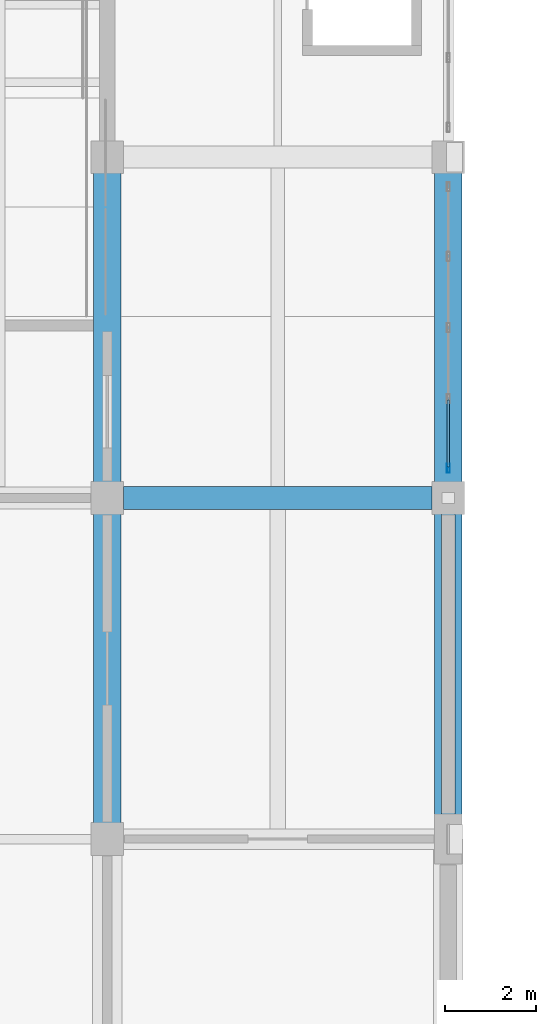
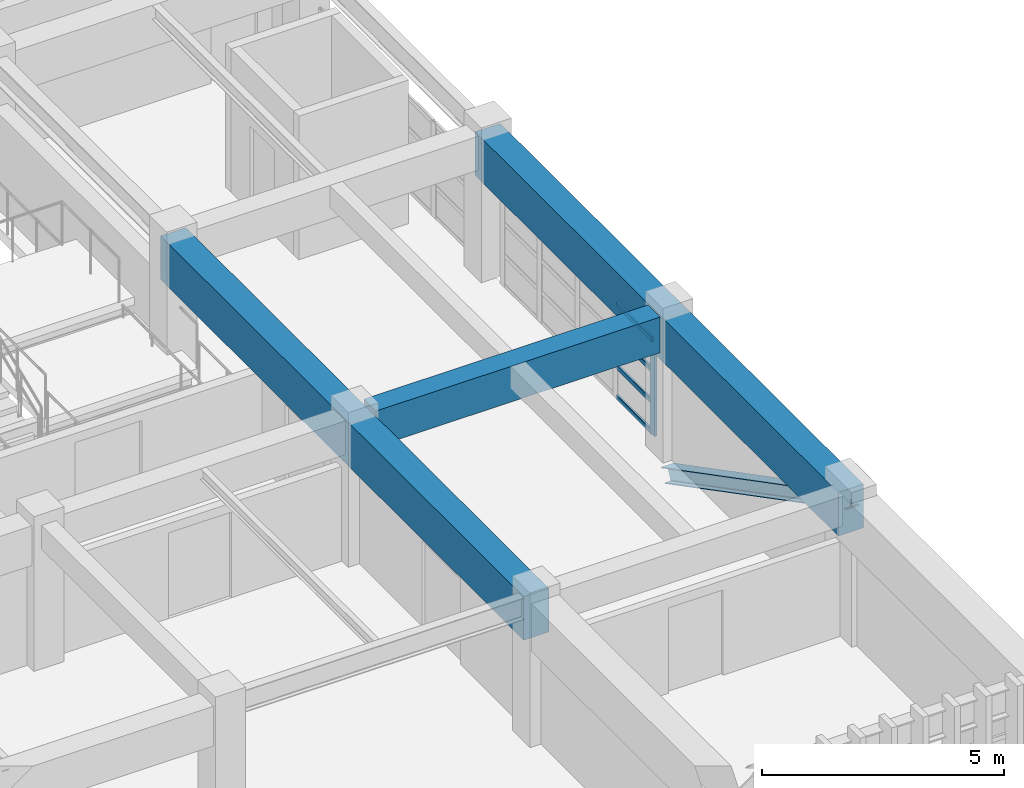
# One storey, part 46 of 101: 6 members, 3 beams, 1 element without a shape of its own.
"""IFC4 building model written with IfcOpenShell, lengths in metres."""

from ifc_helpers import new_model, si_unit, direction, frame, origin, origin_2d, place, context, subcontext, project, spatial, rectangle, hollow_rectangle, i_section, extrude, material, material_profile, profile_set, type_object, element, aggregate, save


model = new_model("IFC4")

# Units and contexts
model_context = context("Model", 3, precision=1e-05, world=origin(), true_north=direction((0.0, 1.0)))
body_context = subcontext(model_context, "Body", "Model", "MODEL_VIEW")
ifc_project = project(units=[si_unit("LENGTHUNIT", "METRE"), si_unit("AREAUNIT", "SQUARE_METRE"), si_unit("VOLUMEUNIT", "CUBIC_METRE"), si_unit("PLANEANGLEUNIT", "RADIAN"), si_unit("MASSUNIT", "GRAM", prefix="KILO")], contexts=[model_context])

# Site, building, storey
site_placement = place(None, origin())
site = spatial("IfcSite", under=ifc_project, at=site_placement, CompositionType="ELEMENT")
building_placement = place(site_placement, origin())
building = spatial("IfcBuilding", under=site, at=building_placement, Name="Qasida Concert Hall", CompositionType="ELEMENT")
storey_placement = place(building_placement, frame((0.0, 0.0, 13.199951171875)))
storey = spatial("IfcBuildingStorey", under=building, at=storey_placement, Name="L03", CompositionType="ELEMENT", Elevation=13.199951171875)

# Beams
ifc_material_1 = material(Name="Concrete C40/50", Category="concrete")
ifc_material_profile_1 = material_profile(ifc_material_1, rectangle(XDim=0.5, YDim=0.89990234375, at=origin_2d()), Name="RC 500x900")
ifc_profile_set_1 = profile_set([ifc_material_profile_1], Name="Concrete C40/50")
beam_type_1 = type_object("IfcBeamType", Name="BM-G1", PredefinedType="USERDEFINED", material=ifc_profile_set_1)
beam_placement = place(storey_placement, frame((97.860107421875, 30.0, 3.170166015625), z_axis=(1.0, 0.0, 0.0), x_axis=(0.0, 1.0, 0.0)))
element("IfcBeam", 1, at=beam_placement, inside=storey, type_object=beam_type_1, Name="Primary girder 1519", ObjectType="GIRDER", PredefinedType="USERDEFINED", context=body_context, shape_type="SweptSolid", body=[
    extrude(rectangle(XDim=0.5, YDim=0.89990234375, at=origin_2d()), origin(), (0.0, 0.0, 1.0), 6.77978515625),
])
ifc_material_2 = material(Name="Concrete C50/60", Category="concrete")
ifc_material_profile_2 = material_profile(ifc_material_2, rectangle(XDim=0.60009765625, YDim=1.10009765625, at=origin_2d()), Name="RC 600x1100")
ifc_profile_set_2 = profile_set([ifc_material_profile_2], Name="Concrete C50/60")
beam_type_2 = type_object("IfcBeamType", Name="BM-G4", PredefinedType="USERDEFINED", material=ifc_profile_set_2)
for number, where, z_axis, x_axis, name in (
    (2, (97.5, 22.5, 3.02001953125), (0.0, 1.0, 0.0), (-1.0, 0.0, 0.0), "Cantilever backspan girder CGB-017"),
    (3, (105.0, 22.5, 3.02001953125), (0.0, 1.0, 0.0), (-1.0, 0.0, 0.0), "Cantilever backspan girder CGB-018"),
):
    element("IfcBeam", number, at=place(storey_placement, frame(where, z_axis=z_axis, x_axis=x_axis)), inside=storey, type_object=beam_type_2, Name=name, ObjectType="GIRDER", PredefinedType="USERDEFINED", context=body_context, shape_type="SweptSolid", body=[
        extrude(rectangle(XDim=0.60009765625, YDim=1.10009765625, at=origin_2d()), origin(), (0.0, 0.0, 1.0), 15.0),
    ])

# Member
ifc_material_3 = material(Name="Steel S355J2", Category="steel")
ifc_material_profile_3 = material_profile(ifc_material_3, i_section(OverallWidth=0.300048828125, OverallDepth=0.360107421875, WebThickness=0.012451171875, FlangeThickness=0.0224609375, FilletRadius=0.027099609375, at=origin_2d()), Name="HEB 360")
ifc_profile_set_3 = profile_set([ifc_material_profile_3], Name="Steel S355J2")
member_type_1 = type_object("IfcMemberType", Name="MB-BR1", PredefinedType="BRACE", material=ifc_profile_set_3)
member_1_placement = place(storey_placement, frame((105.0, 22.5, 3.300048828125), z_axis=(0.0, 0.8872215298, -0.461343643133), x_axis=(-1.0, 0.0, 0.0)))
element("IfcMember", 4, at=member_1_placement, inside=storey, type_object=member_type_1, Name="Wall truss backspan brace WT-E-025", PredefinedType="BRACE", context=body_context, shape_type="SweptSolid", body=[
    extrude(i_section(OverallWidth=0.300048828125, OverallDepth=0.360107421875, WebThickness=0.012451171875, FlangeThickness=0.0224609375, FilletRadius=0.027099609375, at=origin_2d()), origin(), (0.0, 0.0, 1.0), 8.453369140625),
])

# Curtain wall, members
ifc_material_4 = material(Name="Architectural bronze-anodized aluminium and low-E glass", Category="aluminium")
curtain_wall_type = type_object("IfcCurtainWallType", Name="CW-04", PredefinedType="NOTDEFINED", material=ifc_material_4)
curtain_wall_placement = place(storey_placement, origin())
curtain_wall = element("IfcCurtainWall", 5, at=curtain_wall_placement, inside=storey, type_object=curtain_wall_type, Name="L03 curtain wall CW-04 0051", PredefinedType="NOTDEFINED")
ifc_material_5 = material(Name="Architectural bronze-anodized aluminium EN AW-6063", Category="aluminium")
ifc_material_profile_4 = material_profile(ifc_material_5, hollow_rectangle(XDim=0.06494140625, YDim=0.199951171875, WallThickness=0.0048828125, InnerFilletRadius=0.0048828125, OuterFilletRadius=0.010009765625, at=origin_2d()), Name="CWM 200x65x5")
ifc_profile_set_4 = profile_set([ifc_material_profile_4], Name="Architectural bronze-anodized aluminium EN AW-6063")
member_type_2 = type_object("IfcMemberType", Name="MB-CWM-2", PredefinedType="MULLION", material=ifc_profile_set_4)
member_2_placement = place(storey_placement, frame((105.0, 30.652587890625, 0.0), z_axis=(0.0, 0.0, 1.0), x_axis=(-1.0, 0.0, 0.0)))
member_2 = element("IfcMember", 6, at=member_2_placement, type_object=member_type_2, Name="CW-04 mullion 1", PredefinedType="MULLION", context=body_context, shape_type="SweptSolid", body=[
    extrude(hollow_rectangle(XDim=0.06494140625, YDim=0.199951171875, WallThickness=0.0048828125, InnerFilletRadius=0.0048828125, OuterFilletRadius=0.010009765625, at=origin_2d()), origin(), (0.0, 0.0, 1.0), 2.39013671875),
])
ifc_material_profile_5 = material_profile(ifc_material_5, hollow_rectangle(XDim=0.06005859375, YDim=0.1201171875, WallThickness=0.00390625, InnerFilletRadius=0.00390625, OuterFilletRadius=0.008056640625, at=origin_2d()), Name="CWT 120x60x4")
ifc_profile_set_5 = profile_set([ifc_material_profile_5], Name="Architectural bronze-anodized aluminium EN AW-6063")
member_type_3 = type_object("IfcMemberType", Name="MB-CWT-2", PredefinedType="USERDEFINED", material=ifc_profile_set_5)
member_3_placement = place(storey_placement, frame((105.0, 30.68505859375, 0.030029296875), z_axis=(0.0, 1.0, 0.0), x_axis=(-1.0, 0.0, 0.0)))
member_3 = element("IfcMember", 7, at=member_3_placement, type_object=member_type_3, Name="CW-04 transom 1.1", ObjectType="TRANSOM", PredefinedType="USERDEFINED", context=body_context, shape_type="SweptSolid", body=[
    extrude(hollow_rectangle(XDim=0.06005859375, YDim=0.1201171875, WallThickness=0.00390625, InnerFilletRadius=0.00390625, OuterFilletRadius=0.008056640625, at=origin_2d()), origin(), (0.0, 0.0, 1.0), 1.467529296875),
])
member_4_placement = place(storey_placement, frame((105.0, 30.68505859375, 0.796630859375), z_axis=(0.0, 1.0, 0.0), x_axis=(-1.0, 0.0, 0.0)))
member_4 = element("IfcMember", 8, at=member_4_placement, type_object=member_type_3, Name="CW-04 transom 1.2", ObjectType="TRANSOM", PredefinedType="USERDEFINED", context=body_context, shape_type="SweptSolid", body=[
    extrude(hollow_rectangle(XDim=0.06005859375, YDim=0.1201171875, WallThickness=0.00390625, InnerFilletRadius=0.00390625, OuterFilletRadius=0.008056640625, at=origin_2d()), origin(), (0.0, 0.0, 1.0), 1.467529296875),
])
member_5_placement = place(storey_placement, frame((105.0, 30.68505859375, 1.59326171875), z_axis=(0.0, 1.0, 0.0), x_axis=(-1.0, 0.0, 0.0)))
member_5 = element("IfcMember", 9, at=member_5_placement, type_object=member_type_3, Name="CW-04 transom 1.3", ObjectType="TRANSOM", PredefinedType="USERDEFINED", context=body_context, shape_type="SweptSolid", body=[
    extrude(hollow_rectangle(XDim=0.06005859375, YDim=0.1201171875, WallThickness=0.00390625, InnerFilletRadius=0.00390625, OuterFilletRadius=0.008056640625, at=origin_2d()), origin(), (0.0, 0.0, 1.0), 1.467529296875),
])
member_6_placement = place(storey_placement, frame((105.0, 30.68505859375, 2.360107421875), z_axis=(0.0, 1.0, 0.0), x_axis=(-1.0, 0.0, 0.0)))
member_6 = element("IfcMember", 10, at=member_6_placement, type_object=member_type_3, Name="CW-04 transom 1.4", ObjectType="TRANSOM", PredefinedType="USERDEFINED", context=body_context, shape_type="SweptSolid", body=[
    extrude(hollow_rectangle(XDim=0.06005859375, YDim=0.1201171875, WallThickness=0.00390625, InnerFilletRadius=0.00390625, OuterFilletRadius=0.008056640625, at=origin_2d()), origin(), (0.0, 0.0, 1.0), 1.467529296875),
])
aggregate(curtain_wall, [member_2, member_3, member_4, member_5, member_6])

save(model, "model.ifc")
